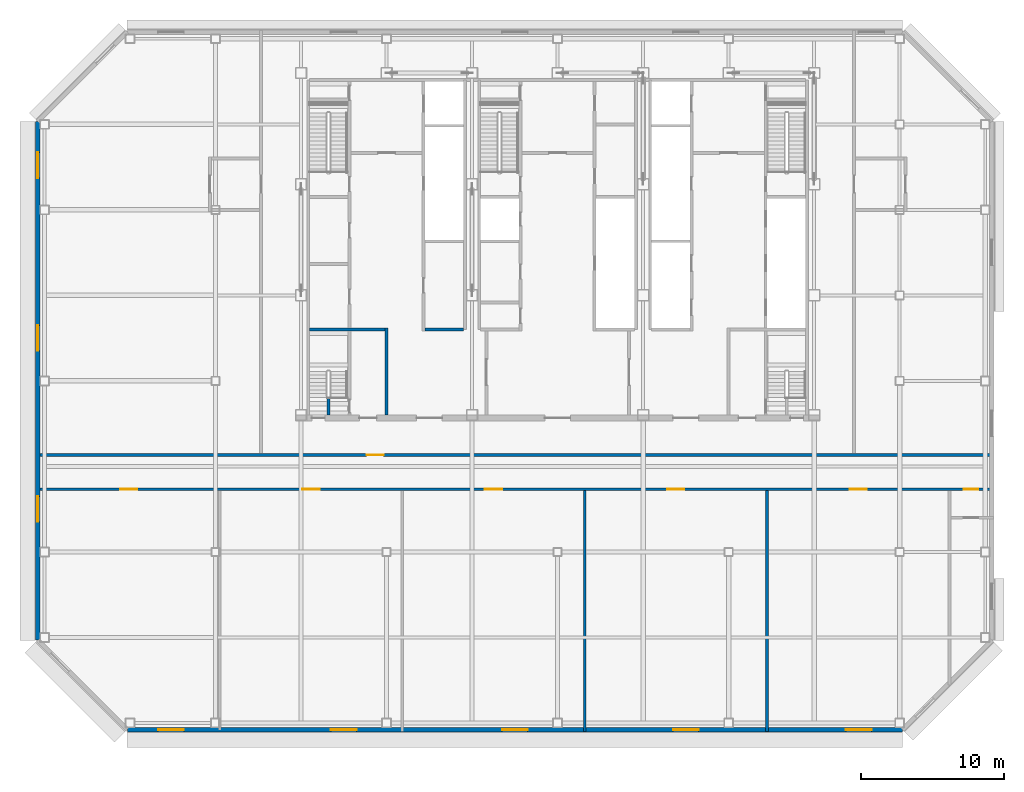
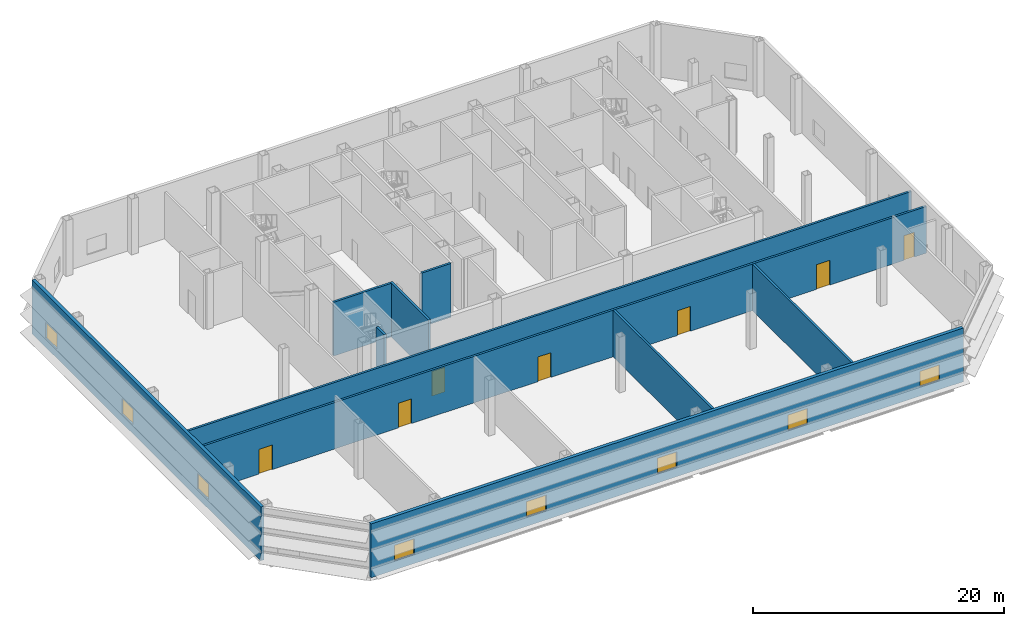
# One storey, part 3 of 11: 10 walls, 8 windows, 7 doors, 15 openings.
"""IFC4 building model written with IfcOpenShell, lengths in metres."""

from ifc_helpers import new_model, si_unit, direction, frame, frame_2d, origin, place, context, subcontext, project, spatial, rectangle, extrude, material, layer, layer_set, type_object, element, fill, save


model = new_model("IFC4")

# Units and contexts
model_context = context("Model", 3, precision=1e-05, world=origin(), true_north=direction((0.0, 1.0)))
body_context = subcontext(model_context, "Body", "Model", "MODEL_VIEW")
ifc_project = project(units=[si_unit("LENGTHUNIT", "METRE"), si_unit("AREAUNIT", "SQUARE_METRE"), si_unit("VOLUMEUNIT", "CUBIC_METRE"), si_unit("PLANEANGLEUNIT", "RADIAN"), si_unit("MASSUNIT", "GRAM", prefix="KILO")], contexts=[model_context])

# Site, building, storey
site_placement = place(None, origin())
site = spatial("IfcSite", under=ifc_project, at=site_placement, CompositionType="ELEMENT")
building_placement = place(site_placement, origin())
building = spatial("IfcBuilding", under=site, at=building_placement, Name="Sorahane Residences", CompositionType="ELEMENT")
storey_placement = place(building_placement, frame((0.0, 0.0, 234.199951171875)))
storey = spatial("IfcBuildingStorey", under=building, at=storey_placement, Name="L55", CompositionType="ELEMENT", Elevation=234.199951171875)

# Wall, opening, door
ifc_material_1 = material(Name="Concrete blockwork C20 wall", Category="masonry")
ifc_layer_1 = layer(ifc_material_1, 0.199951171875)
ifc_layer_set_1 = layer_set([ifc_layer_1], Name="Corridor wall 200 EI 120")
wall_type_1 = type_object("IfcWallType", Name="Corridor wall 200 EI 120", PredefinedType="SOLIDWALL", material=ifc_layer_set_1)
wall_1_placement = place(storey_placement, frame((-12.60009765625, 18.800048828125, 0.0), z_axis=(0.0, 0.0, 1.0), x_axis=(1.0, 0.0, 0.0)))
wall_1 = element("IfcWall", 1, at=wall_1_placement, inside=storey, type_object=wall_type_1, Name="L55 corridor wall", PredefinedType="SOLIDWALL", context=body_context, shape_type="SweptSolid", body=[
    extrude(rectangle(XDim=67.2001953125, YDim=0.199951171875, at=frame_2d((33.60009765625, 0.0))), origin(), (0.0, 0.0, 1.0), 4.52001953125),
])
opening_1_placement = place(wall_1_placement, frame((23.199951171875, 0.0, 0.0)))
opening_1 = element("IfcOpeningElement", 2, at=opening_1_placement, cuts=wall_1, Name="Opening L55-08", PredefinedType="OPENING", context=body_context, shape_type="SweptSolid", body=[
    extrude(rectangle(XDim=1.199951171875, YDim=2.39990234375, at=frame_2d((0.60009765625, 1.199951171875))), frame((0.0, 0.10986328125, 0.0), z_axis=(0.0, -1.0, 0.0), x_axis=(1.0, 0.0, 0.0)), (0.0, 0.0, 1.0), 0.219970703125),
])
ifc_material_2 = material(Name="Steel", Category="steel")
door_type_1 = type_object("IfcDoorType", Name="Lobby door 1200x2400 FD60", OperationType="NOTDEFINED", PredefinedType="DOOR", material=ifc_material_2)
door_1_placement = place(opening_1_placement, frame((1.199951171875, 0.0, 0.0), z_axis=(0.0, 0.0, 1.0), x_axis=(-1.0, 0.0, 0.0)))
door_1 = element("IfcDoor", 3, at=door_1_placement, inside=storey, type_object=door_type_1, Name="Lobby door L55-08", OperationType="SINGLE_SWING_LEFT", OverallHeight=2.39990234375, OverallWidth=1.199951171875, PredefinedType="DOOR", context=body_context, shape_type="SweptSolid", body=[
    extrude(rectangle(XDim=1.199951171875, YDim=2.39990234375, at=frame_2d((0.60009765625, 1.199951171875))), frame((0.0, 0.02490234375, 0.0), z_axis=(0.0, -1.0, 0.0), x_axis=(1.0, 0.0, 0.0)), (0.0, 0.0, 1.0), 0.050048828125),
])
fill(opening_1, door_1)

# Wall, openings, windows
ifc_material_3 = material(Name="Graphite insulated metal-clad wall")
ifc_layer_2 = layer(ifc_material_3, 0.300048828125)
ifc_layer_set_2 = layer_set([ifc_layer_2], Name="External wall insulated metal-clad 300")
wall_type_2 = type_object("IfcWallType", Name="External wall insulated metal-clad 300", PredefinedType="SOLIDWALL", material=ifc_layer_set_2)
wall_2_placement = place(storey_placement, frame((-6.194580078125, -0.469970703125, 0.0), z_axis=(0.0, 0.0, 1.0), x_axis=(1.0, 0.0, 0.0)))
wall_2 = element("IfcWall", 4, at=wall_2_placement, inside=storey, type_object=wall_type_2, Name="External plant wall L55 S1", PredefinedType="SOLIDWALL", context=body_context, shape_type="SweptSolid", body=[
    extrude(rectangle(XDim=54.38916015625, YDim=0.300048828125, at=frame_2d((27.194580078125, 0.0))), origin(), (0.0, 0.0, 1.0), 5.219970703125),
])
opening_2_placement = place(wall_2_placement, frame((2.17041015625, 0.0, 0.89990234375)))
opening_2 = element("IfcOpeningElement", 5, at=opening_2_placement, cuts=wall_2, Name="Opening W-R1", PredefinedType="OPENING", context=body_context, shape_type="SweptSolid", body=[
    extrude(rectangle(XDim=1.800048828125, YDim=1.5, at=frame_2d((0.89990234375, 0.75))), frame((0.0, 0.159912109375, 0.0), z_axis=(0.0, -1.0, 0.0), x_axis=(1.0, 0.0, 0.0)), (0.0, 0.0, 1.0), 0.320068359375),
])
opening_3_placement = place(wall_2_placement, frame((14.294677734375, 0.0, 0.89990234375)))
opening_3 = element("IfcOpeningElement", 6, at=opening_3_placement, cuts=wall_2, Name="Opening W-R1", PredefinedType="OPENING", context=body_context, shape_type="SweptSolid", body=[
    extrude(rectangle(XDim=1.800048828125, YDim=1.5, at=frame_2d((0.89990234375, 0.75))), frame((0.0, 0.159912109375, 0.0), z_axis=(0.0, -1.0, 0.0), x_axis=(1.0, 0.0, 0.0)), (0.0, 0.0, 1.0), 0.320068359375),
])
opening_4_placement = place(wall_2_placement, frame((26.294677734375, 0.0, 0.89990234375)))
opening_4 = element("IfcOpeningElement", 7, at=opening_4_placement, cuts=wall_2, Name="Opening W-R1", PredefinedType="OPENING", context=body_context, shape_type="SweptSolid", body=[
    extrude(rectangle(XDim=1.800048828125, YDim=1.5, at=frame_2d((0.89990234375, 0.75))), frame((0.0, 0.159912109375, 0.0), z_axis=(0.0, -1.0, 0.0), x_axis=(1.0, 0.0, 0.0)), (0.0, 0.0, 1.0), 0.320068359375),
])
opening_5_placement = place(wall_2_placement, frame((38.294677734375, 0.0, 0.89990234375)))
opening_5 = element("IfcOpeningElement", 8, at=opening_5_placement, cuts=wall_2, Name="Opening W-R1", PredefinedType="OPENING", context=body_context, shape_type="SweptSolid", body=[
    extrude(rectangle(XDim=1.800048828125, YDim=1.5, at=frame_2d((0.89990234375, 0.75))), frame((0.0, 0.159912109375, 0.0), z_axis=(0.0, -1.0, 0.0), x_axis=(1.0, 0.0, 0.0)), (0.0, 0.0, 1.0), 0.320068359375),
])
opening_6_placement = place(wall_2_placement, frame((50.4189453125, 0.0, 0.89990234375)))
opening_6 = element("IfcOpeningElement", 9, at=opening_6_placement, cuts=wall_2, Name="Opening W-R1", PredefinedType="OPENING", context=body_context, shape_type="SweptSolid", body=[
    extrude(rectangle(XDim=1.800048828125, YDim=1.5, at=frame_2d((0.89990234375, 0.75))), frame((0.0, 0.159912109375, 0.0), z_axis=(0.0, -1.0, 0.0), x_axis=(1.0, 0.0, 0.0)), (0.0, 0.0, 1.0), 0.320068359375),
])
ifc_material_4 = material(Name="Dark aluminium and glass", Category="aluminium")
window_type = type_object("IfcWindowType", Name="Openable Class B fire window dark aluminium 1800x1500", PartitioningType="SINGLE_PANEL", PredefinedType="WINDOW", material=ifc_material_4)
window_1_placement = place(opening_2_placement, origin())
window_1 = element("IfcWindow", 10, at=window_1_placement, inside=storey, type_object=window_type, Name="Openable fire window L55 S1.1", OverallHeight=1.5, OverallWidth=1.800048828125, PartitioningType="SINGLE_PANEL", PredefinedType="WINDOW", context=body_context, shape_type="SweptSolid", body=[
    extrude(rectangle(XDim=1.800048828125, YDim=1.5, at=frame_2d((0.89990234375, 0.75))), frame((0.0, 0.030029296875, 0.0), z_axis=(0.0, -1.0, 0.0), x_axis=(1.0, 0.0, 0.0)), (0.0, 0.0, 1.0), 0.06005859375),
])
fill(opening_2, window_1)
window_2_placement = place(opening_3_placement, origin())
window_2 = element("IfcWindow", 11, at=window_2_placement, inside=storey, type_object=window_type, Name="Openable fire window L55 S1.3", OverallHeight=1.5, OverallWidth=1.800048828125, PartitioningType="SINGLE_PANEL", PredefinedType="WINDOW", context=body_context, shape_type="SweptSolid", body=[
    extrude(rectangle(XDim=1.800048828125, YDim=1.5, at=frame_2d((0.89990234375, 0.75))), frame((0.0, 0.030029296875, 0.0), z_axis=(0.0, -1.0, 0.0), x_axis=(1.0, 0.0, 0.0)), (0.0, 0.0, 1.0), 0.06005859375),
])
fill(opening_3, window_2)
window_3_placement = place(opening_4_placement, origin())
window_3 = element("IfcWindow", 12, at=window_3_placement, inside=storey, type_object=window_type, Name="Openable fire window L55 S1.5", OverallHeight=1.5, OverallWidth=1.800048828125, PartitioningType="SINGLE_PANEL", PredefinedType="WINDOW", context=body_context, shape_type="SweptSolid", body=[
    extrude(rectangle(XDim=1.800048828125, YDim=1.5, at=frame_2d((0.89990234375, 0.75))), frame((0.0, 0.030029296875, 0.0), z_axis=(0.0, -1.0, 0.0), x_axis=(1.0, 0.0, 0.0)), (0.0, 0.0, 1.0), 0.06005859375),
])
fill(opening_4, window_3)
window_4_placement = place(opening_5_placement, origin())
window_4 = element("IfcWindow", 13, at=window_4_placement, inside=storey, type_object=window_type, Name="Openable fire window L55 S1.7", OverallHeight=1.5, OverallWidth=1.800048828125, PartitioningType="SINGLE_PANEL", PredefinedType="WINDOW", context=body_context, shape_type="SweptSolid", body=[
    extrude(rectangle(XDim=1.800048828125, YDim=1.5, at=frame_2d((0.89990234375, 0.75))), frame((0.0, 0.030029296875, 0.0), z_axis=(0.0, -1.0, 0.0), x_axis=(1.0, 0.0, 0.0)), (0.0, 0.0, 1.0), 0.06005859375),
])
fill(opening_5, window_4)
window_5_placement = place(opening_6_placement, origin())
window_5 = element("IfcWindow", 14, at=window_5_placement, inside=storey, type_object=window_type, Name="Openable fire window L55 S1.9", OverallHeight=1.5, OverallWidth=1.800048828125, PartitioningType="SINGLE_PANEL", PredefinedType="WINDOW", context=body_context, shape_type="SweptSolid", body=[
    extrude(rectangle(XDim=1.800048828125, YDim=1.5, at=frame_2d((0.89990234375, 0.75))), frame((0.0, 0.030029296875, 0.0), z_axis=(0.0, -1.0, 0.0), x_axis=(1.0, 0.0, 0.0)), (0.0, 0.0, 1.0), 0.06005859375),
])
fill(opening_6, window_5)

wall_3_placement = place(storey_placement, frame((-12.469970703125, 42.194580078125, 0.0), z_axis=(0.0, 0.0, 1.0), x_axis=(0.0, -1.0, 0.0)))
wall_3 = element("IfcWall", 15, at=wall_3_placement, inside=storey, type_object=wall_type_2, Name="External plant wall L55 W1", PredefinedType="SOLIDWALL", context=body_context, shape_type="SweptSolid", body=[
    extrude(rectangle(XDim=36.38916015625, YDim=0.300048828125, at=frame_2d((18.194580078125, 0.0))), origin(), (0.0, 0.0, 1.0), 5.219970703125),
])
opening_7_placement = place(wall_3_placement, frame((2.17041015625, 0.0, 0.89990234375)))
opening_7 = element("IfcOpeningElement", 16, at=opening_7_placement, cuts=wall_3, Name="Opening W-R1", PredefinedType="OPENING", context=body_context, shape_type="SweptSolid", body=[
    extrude(rectangle(XDim=1.800048828125, YDim=1.5, at=frame_2d((0.89990234375, 0.75))), frame((0.0, 0.159912109375, 0.0), z_axis=(0.0, -1.0, 0.0), x_axis=(1.0, 0.0, 0.0)), (0.0, 0.0, 1.0), 0.320068359375),
])
opening_8_placement = place(wall_3_placement, frame((14.294677734375, 0.0, 0.89990234375)))
opening_8 = element("IfcOpeningElement", 17, at=opening_8_placement, cuts=wall_3, Name="Opening W-R1", PredefinedType="OPENING", context=body_context, shape_type="SweptSolid", body=[
    extrude(rectangle(XDim=1.800048828125, YDim=1.5, at=frame_2d((0.89990234375, 0.75))), frame((0.0, 0.159912109375, 0.0), z_axis=(0.0, -1.0, 0.0), x_axis=(1.0, 0.0, 0.0)), (0.0, 0.0, 1.0), 0.320068359375),
])
opening_9_placement = place(wall_3_placement, frame((26.294677734375, 0.0, 0.89990234375)))
opening_9 = element("IfcOpeningElement", 18, at=opening_9_placement, cuts=wall_3, Name="Opening W-R1", PredefinedType="OPENING", context=body_context, shape_type="SweptSolid", body=[
    extrude(rectangle(XDim=1.800048828125, YDim=1.5, at=frame_2d((0.89990234375, 0.75))), frame((0.0, 0.159912109375, 0.0), z_axis=(0.0, -1.0, 0.0), x_axis=(1.0, 0.0, 0.0)), (0.0, 0.0, 1.0), 0.320068359375),
])
window_6_placement = place(opening_7_placement, origin())
window_6 = element("IfcWindow", 19, at=window_6_placement, inside=storey, type_object=window_type, Name="Openable fire window L55 W1.1", OverallHeight=1.5, OverallWidth=1.800048828125, PartitioningType="SINGLE_PANEL", PredefinedType="WINDOW", context=body_context, shape_type="SweptSolid", body=[
    extrude(rectangle(XDim=1.800048828125, YDim=1.5, at=frame_2d((0.89990234375, 0.75))), frame((0.0, 0.030029296875, 0.0), z_axis=(0.0, -1.0, 0.0), x_axis=(1.0, 0.0, 0.0)), (0.0, 0.0, 1.0), 0.06005859375),
])
fill(opening_7, window_6)
window_7_placement = place(opening_8_placement, origin())
window_7 = element("IfcWindow", 20, at=window_7_placement, inside=storey, type_object=window_type, Name="Openable fire window L55 W1.3", OverallHeight=1.5, OverallWidth=1.800048828125, PartitioningType="SINGLE_PANEL", PredefinedType="WINDOW", context=body_context, shape_type="SweptSolid", body=[
    extrude(rectangle(XDim=1.800048828125, YDim=1.5, at=frame_2d((0.89990234375, 0.75))), frame((0.0, 0.030029296875, 0.0), z_axis=(0.0, -1.0, 0.0), x_axis=(1.0, 0.0, 0.0)), (0.0, 0.0, 1.0), 0.06005859375),
])
fill(opening_8, window_7)
window_8_placement = place(opening_9_placement, origin())
window_8 = element("IfcWindow", 21, at=window_8_placement, inside=storey, type_object=window_type, Name="Openable fire window L55 W1.5", OverallHeight=1.5, OverallWidth=1.800048828125, PartitioningType="SINGLE_PANEL", PredefinedType="WINDOW", context=body_context, shape_type="SweptSolid", body=[
    extrude(rectangle(XDim=1.800048828125, YDim=1.5, at=frame_2d((0.89990234375, 0.75))), frame((0.0, 0.030029296875, 0.0), z_axis=(0.0, -1.0, 0.0), x_axis=(1.0, 0.0, 0.0)), (0.0, 0.0, 1.0), 0.06005859375),
])
fill(opening_9, window_8)

# Wall, openings, doors
ifc_material_5 = material(Name="Concrete blockwork C20 wall", Category="masonry")
ifc_layer_3 = layer(ifc_material_5, 0.199951171875)
ifc_layer_set_3 = layer_set([ifc_layer_3], Name="Fire wall 200 EI 120")
wall_type_3 = type_object("IfcWallType", Name="Fire wall 200 EI 120", PredefinedType="SOLIDWALL", material=ifc_layer_set_3)
wall_4_placement = place(storey_placement, frame((-12.60009765625, 16.39990234375, 0.0), z_axis=(0.0, 0.0, 1.0), x_axis=(1.0, 0.0, 0.0)))
wall_4 = element("IfcWall", 22, at=wall_4_placement, inside=storey, type_object=wall_type_3, Name="L55 fire wall", PredefinedType="SOLIDWALL", context=body_context, shape_type="SweptSolid", body=[
    extrude(rectangle(XDim=67.2001953125, YDim=0.199951171875, at=frame_2d((33.60009765625, 0.0))), origin(), (0.0, 0.0, 1.0), 4.52001953125),
])
opening_10_placement = place(wall_4_placement, frame((5.89990234375, 0.0, 0.0)))
opening_10 = element("IfcOpeningElement", 23, at=opening_10_placement, cuts=wall_4, Name="Opening L55-01", PredefinedType="OPENING", context=body_context, shape_type="SweptSolid", body=[
    extrude(rectangle(XDim=1.199951171875, YDim=2.39990234375, at=frame_2d((0.60009765625, 1.199951171875))), frame((0.0, 0.10986328125, 0.0), z_axis=(0.0, -1.0, 0.0), x_axis=(1.0, 0.0, 0.0)), (0.0, 0.0, 1.0), 0.219970703125),
])
opening_11_placement = place(wall_4_placement, frame((18.699951171875, 0.0, 0.0)))
opening_11 = element("IfcOpeningElement", 24, at=opening_11_placement, cuts=wall_4, Name="Opening L55-02", PredefinedType="OPENING", context=body_context, shape_type="SweptSolid", body=[
    extrude(rectangle(XDim=1.199951171875, YDim=2.39990234375, at=frame_2d((0.60009765625, 1.199951171875))), frame((0.0, 0.10986328125, 0.0), z_axis=(0.0, -1.0, 0.0), x_axis=(1.0, 0.0, 0.0)), (0.0, 0.0, 1.0), 0.219970703125),
])
opening_12_placement = place(wall_4_placement, frame((31.5, 0.0, 0.0)))
opening_12 = element("IfcOpeningElement", 25, at=opening_12_placement, cuts=wall_4, Name="Opening L55-03", PredefinedType="OPENING", context=body_context, shape_type="SweptSolid", body=[
    extrude(rectangle(XDim=1.199951171875, YDim=2.39990234375, at=frame_2d((0.60009765625, 1.199951171875))), frame((0.0, 0.10986328125, 0.0), z_axis=(0.0, -1.0, 0.0), x_axis=(1.0, 0.0, 0.0)), (0.0, 0.0, 1.0), 0.219970703125),
])
opening_13_placement = place(wall_4_placement, frame((44.300048828125, 0.0, 0.0)))
opening_13 = element("IfcOpeningElement", 26, at=opening_13_placement, cuts=wall_4, Name="Opening L55-04", PredefinedType="OPENING", context=body_context, shape_type="SweptSolid", body=[
    extrude(rectangle(XDim=1.199951171875, YDim=2.39990234375, at=frame_2d((0.60009765625, 1.199951171875))), frame((0.0, 0.10986328125, 0.0), z_axis=(0.0, -1.0, 0.0), x_axis=(1.0, 0.0, 0.0)), (0.0, 0.0, 1.0), 0.219970703125),
])
opening_14_placement = place(wall_4_placement, frame((57.10009765625, 0.0, 0.0)))
opening_14 = element("IfcOpeningElement", 27, at=opening_14_placement, cuts=wall_4, Name="Opening L55-05", PredefinedType="OPENING", context=body_context, shape_type="SweptSolid", body=[
    extrude(rectangle(XDim=1.199951171875, YDim=2.39990234375, at=frame_2d((0.60009765625, 1.199951171875))), frame((0.0, 0.10986328125, 0.0), z_axis=(0.0, -1.0, 0.0), x_axis=(1.0, 0.0, 0.0)), (0.0, 0.0, 1.0), 0.219970703125),
])
opening_15_placement = place(wall_4_placement, frame((65.10009765625, 0.0, 0.0)))
opening_15 = element("IfcOpeningElement", 28, at=opening_15_placement, cuts=wall_4, Name="Opening L55-06", PredefinedType="OPENING", context=body_context, shape_type="SweptSolid", body=[
    extrude(rectangle(XDim=1.0, YDim=2.39990234375, at=frame_2d((0.5, 1.199951171875))), frame((0.0, 0.10986328125, 0.0), z_axis=(0.0, -1.0, 0.0), x_axis=(1.0, 0.0, 0.0)), (0.0, 0.0, 1.0), 0.219970703125),
])
ifc_material_6 = material(Name="Steel", Category="steel")
door_type_2 = type_object("IfcDoorType", Name="Fire door 1000x2400 FD60", OperationType="NOTDEFINED", PredefinedType="DOOR", material=ifc_material_6)
door_2_placement = place(opening_15_placement, origin())
door_2 = element("IfcDoor", 29, at=door_2_placement, inside=storey, type_object=door_type_2, Name="Fire door L55-06", OperationType="SINGLE_SWING_RIGHT", OverallHeight=2.39990234375, OverallWidth=1.0, PredefinedType="DOOR", context=body_context, shape_type="SweptSolid", body=[
    extrude(rectangle(XDim=1.0, YDim=2.39990234375, at=frame_2d((0.5, 1.199951171875))), frame((0.0, 0.02490234375, 0.0), z_axis=(0.0, -1.0, 0.0), x_axis=(1.0, 0.0, 0.0)), (0.0, 0.0, 1.0), 0.050048828125),
])
fill(opening_15, door_2)
ifc_material_7 = material(Name="Steel", Category="steel")
door_type_3 = type_object("IfcDoorType", Name="Plant door 1200x2400 FD60", OperationType="NOTDEFINED", PredefinedType="DOOR", material=ifc_material_7)
door_3_placement = place(opening_10_placement, origin())
door_3 = element("IfcDoor", 30, at=door_3_placement, inside=storey, type_object=door_type_3, Name="Plant door L55-01", OperationType="SINGLE_SWING_LEFT", OverallHeight=2.39990234375, OverallWidth=1.199951171875, PredefinedType="DOOR", context=body_context, shape_type="SweptSolid", body=[
    extrude(rectangle(XDim=1.199951171875, YDim=2.39990234375, at=frame_2d((0.60009765625, 1.199951171875))), frame((0.0, 0.02490234375, 0.0), z_axis=(0.0, -1.0, 0.0), x_axis=(1.0, 0.0, 0.0)), (0.0, 0.0, 1.0), 0.050048828125),
])
fill(opening_10, door_3)
door_4_placement = place(opening_11_placement, origin())
door_4 = element("IfcDoor", 31, at=door_4_placement, inside=storey, type_object=door_type_3, Name="Plant door L55-02", OperationType="SINGLE_SWING_RIGHT", OverallHeight=2.39990234375, OverallWidth=1.199951171875, PredefinedType="DOOR", context=body_context, shape_type="SweptSolid", body=[
    extrude(rectangle(XDim=1.199951171875, YDim=2.39990234375, at=frame_2d((0.60009765625, 1.199951171875))), frame((0.0, 0.02490234375, 0.0), z_axis=(0.0, -1.0, 0.0), x_axis=(1.0, 0.0, 0.0)), (0.0, 0.0, 1.0), 0.050048828125),
])
fill(opening_11, door_4)
door_5_placement = place(opening_12_placement, frame((1.199951171875, 0.0, 0.0), z_axis=(0.0, 0.0, 1.0), x_axis=(-1.0, 0.0, 0.0)))
door_5 = element("IfcDoor", 32, at=door_5_placement, inside=storey, type_object=door_type_3, Name="Plant door L55-03", OperationType="SINGLE_SWING_RIGHT", OverallHeight=2.39990234375, OverallWidth=1.199951171875, PredefinedType="DOOR", context=body_context, shape_type="SweptSolid", body=[
    extrude(rectangle(XDim=1.199951171875, YDim=2.39990234375, at=frame_2d((0.60009765625, 1.199951171875))), frame((0.0, 0.02490234375, 0.0), z_axis=(0.0, -1.0, 0.0), x_axis=(1.0, 0.0, 0.0)), (0.0, 0.0, 1.0), 0.050048828125),
])
fill(opening_12, door_5)
door_6_placement = place(opening_13_placement, frame((1.199951171875, 0.0, 0.0), z_axis=(0.0, 0.0, 1.0), x_axis=(-1.0, 0.0, 0.0)))
door_6 = element("IfcDoor", 33, at=door_6_placement, inside=storey, type_object=door_type_3, Name="Plant door L55-04", OperationType="SINGLE_SWING_LEFT", OverallHeight=2.39990234375, OverallWidth=1.199951171875, PredefinedType="DOOR", context=body_context, shape_type="SweptSolid", body=[
    extrude(rectangle(XDim=1.199951171875, YDim=2.39990234375, at=frame_2d((0.60009765625, 1.199951171875))), frame((0.0, 0.02490234375, 0.0), z_axis=(0.0, -1.0, 0.0), x_axis=(1.0, 0.0, 0.0)), (0.0, 0.0, 1.0), 0.050048828125),
])
fill(opening_13, door_6)
door_7_placement = place(opening_14_placement, origin())
door_7 = element("IfcDoor", 34, at=door_7_placement, inside=storey, type_object=door_type_3, Name="Plant door L55-05", OperationType="SINGLE_SWING_LEFT", OverallHeight=2.39990234375, OverallWidth=1.199951171875, PredefinedType="DOOR", context=body_context, shape_type="SweptSolid", body=[
    extrude(rectangle(XDim=1.199951171875, YDim=2.39990234375, at=frame_2d((0.60009765625, 1.199951171875))), frame((0.0, 0.02490234375, 0.0), z_axis=(0.0, -1.0, 0.0), x_axis=(1.0, 0.0, 0.0)), (0.0, 0.0, 1.0), 0.050048828125),
])
fill(opening_14, door_7)

# Walls
ifc_material_8 = material(Name="Concrete C30", Category="concrete")
ifc_layer_4 = layer(ifc_material_8, 0.199951171875)
ifc_layer_set_4 = layer_set([ifc_layer_4], Name="Front room wall 200 EI 120")
wall_type_4 = type_object("IfcWallType", Name="Front room wall 200 EI 120", PredefinedType="PARTITIONING", material=ifc_layer_set_4)
wall_5_placement = place(storey_placement, frame((12.0, 21.60009765625, 0.0), z_axis=(0.0, 0.0, 1.0), x_axis=(0.0, 1.0, 0.0)))
element("IfcWall", 35, at=wall_5_placement, inside=storey, type_object=wall_type_4, Name="L55 front room wall", PredefinedType="PARTITIONING", context=body_context, shape_type="SweptSolid", body=[
    extrude(rectangle(XDim=6.099853515625, YDim=0.199951171875, at=frame_2d((3.0498046875, 0.0))), origin(), (0.0, 0.0, 1.0), 5.219970703125),
])
ifc_material_9 = material(Name="Concrete blockwork C20 wall", Category="masonry")
ifc_layer_5 = layer(ifc_material_9, 0.199951171875)
ifc_layer_set_5 = layer_set([ifc_layer_5], Name="Plant wall 200 EI 120")
wall_type_5 = type_object("IfcWallType", Name="Plant wall 200 EI 120", PredefinedType="SOLIDWALL", material=ifc_layer_set_5)
for number, where, z_axis, x_axis, name in (
    (36, (25.89990234375, -0.60009765625, 0.0), (0.0, 0.0, 1.0), (0.0, 1.0, 0.0), "L55 plant wall"),
    (37, (38.699951171875, -0.60009765625, 0.0), (0.0, 0.0, 1.0), (0.0, 1.0, 0.0), "L55 plant wall"),
):
    element("IfcWall", number, at=place(storey_placement, frame(where, z_axis=z_axis, x_axis=x_axis)), inside=storey, type_object=wall_type_5, Name=name, PredefinedType="SOLIDWALL", context=body_context, shape_type="SweptSolid", body=[
        extrude(rectangle(XDim=16.900146484375, YDim=0.199951171875, at=frame_2d((8.4501953125, 0.0))), origin(), (0.0, 0.0, 1.0), 4.52001953125),
    ])
ifc_material_10 = material(Name="Concrete C30", Category="concrete")
ifc_layer_6 = layer(ifc_material_10, 0.199951171875)
ifc_layer_set_6 = layer_set([ifc_layer_6], Name="Service room partition 200 EI 60")
wall_type_6 = type_object("IfcWallType", Name="Service room partition 200 EI 60", PredefinedType="PARTITIONING", material=ifc_layer_set_6)
wall_6_placement = place(storey_placement, frame((14.699951171875, 27.60009765625, 0.0), z_axis=(0.0, 0.0, 1.0), x_axis=(1.0, 0.0, 0.0)))
element("IfcWall", 38, at=wall_6_placement, inside=storey, type_object=wall_type_6, Name="L55 service room wall", PredefinedType="PARTITIONING", context=body_context, shape_type="SweptSolid", body=[
    extrude(rectangle(XDim=2.699951171875, YDim=0.199951171875, at=frame_2d((1.35009765625, 0.0))), origin(), (0.0, 0.0, 1.0), 5.219970703125),
])
ifc_material_11 = material(Name="Concrete C30", Category="concrete")
ifc_layer_7 = layer(ifc_material_11, 0.199951171875)
ifc_layer_set_7 = layer_set([ifc_layer_7], Name="Stair enclosure wall 200 EI 120")
wall_type_7 = type_object("IfcWallType", Name="Stair enclosure wall 200 EI 120", PredefinedType="SOLIDWALL", material=ifc_layer_set_7)
wall_7_placement = place(storey_placement, frame((7.925048828125, 21.60009765625, 0.0), z_axis=(0.0, 0.0, 1.0), x_axis=(0.0, 1.0, 0.0)))
element("IfcWall", 39, at=wall_7_placement, inside=storey, type_object=wall_type_7, Name="L55 stair enclosure wall", PredefinedType="SOLIDWALL", context=body_context, shape_type="SweptSolid", body=[
    extrude(rectangle(XDim=1.25, YDim=0.199951171875, at=frame_2d((0.625, 0.0))), origin(), (0.0, 0.0, 1.0), 5.219970703125),
])
wall_8_placement = place(storey_placement, frame((6.60009765625, 27.60009765625, 0.0), z_axis=(0.0, 0.0, 1.0), x_axis=(1.0, 0.0, 0.0)))
element("IfcWall", 40, at=wall_8_placement, inside=storey, type_object=wall_type_7, Name="L55 stair enclosure wall", PredefinedType="SOLIDWALL", context=body_context, shape_type="SweptSolid", body=[
    extrude(rectangle(XDim=5.2998046875, YDim=0.199951171875, at=frame_2d((2.64990234375, 0.0))), origin(), (0.0, 0.0, 1.0), 5.219970703125),
])

save(model, "model.ifc")
